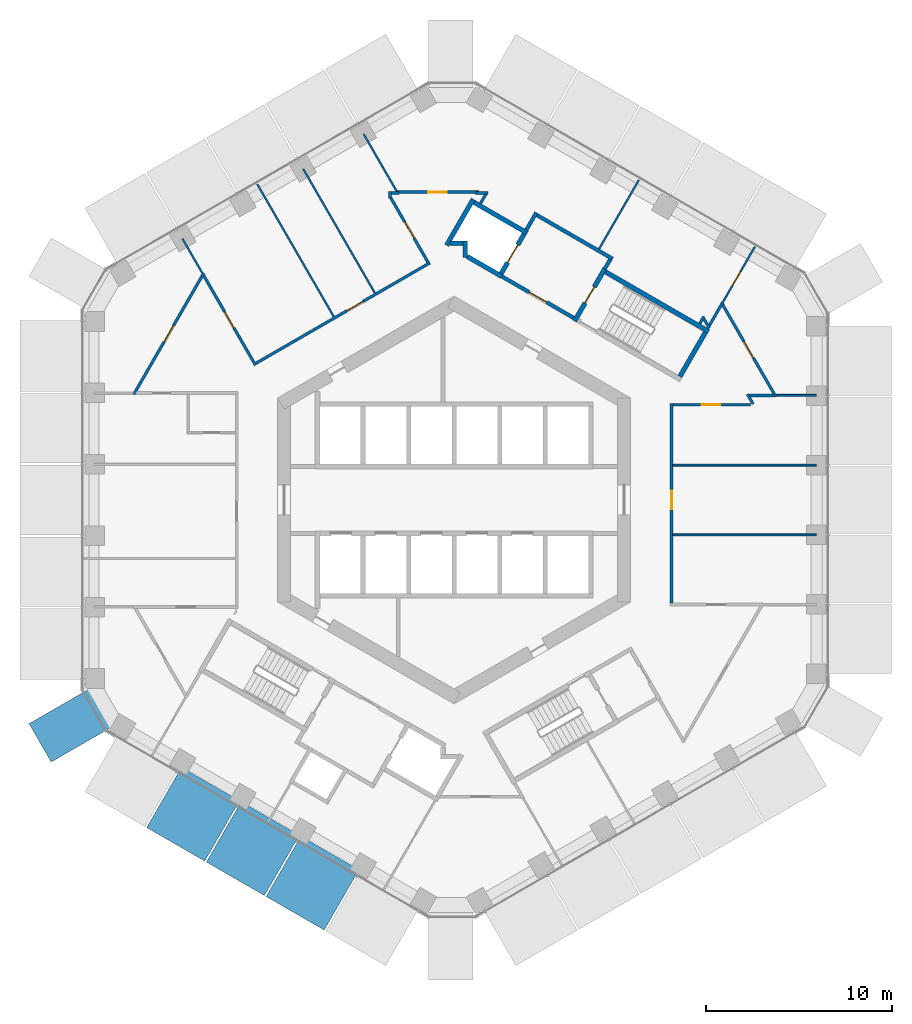
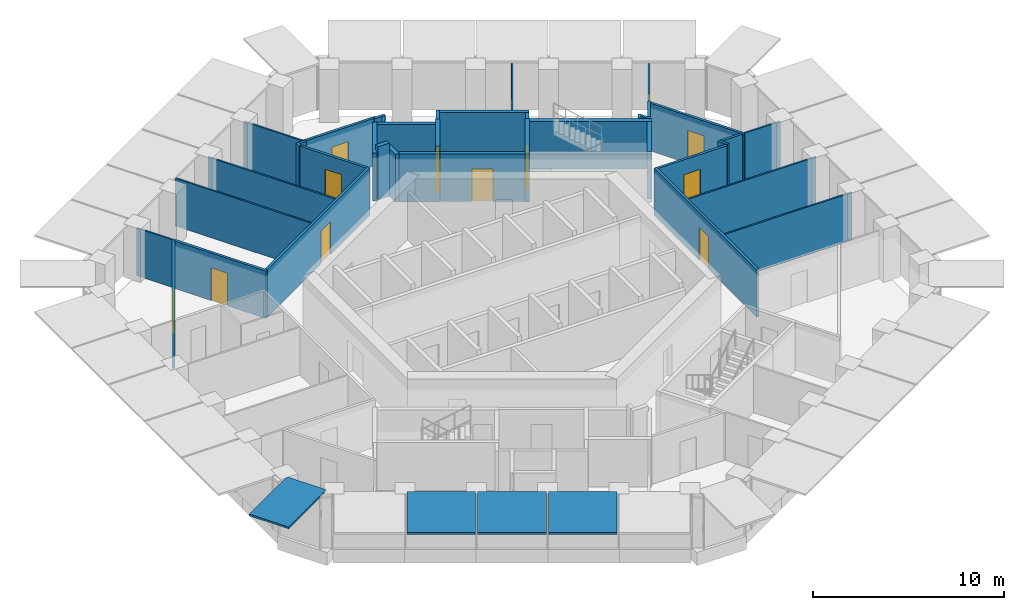
# One storey, part 14 of 18: 39 walls, 12 doors, 4 discrete accessories, 12 openings.
"""IFC4 building model written with IfcOpenShell, lengths in metres."""

from ifc_helpers import new_model, si_unit, direction, frame, frame_2d, origin, origin_2d, place, context, subcontext, project, spatial, rectangle, extrude, material, layer, layer_set, type_object, element, fill, save


model = new_model("IFC4")

# Units and contexts
model_context = context("Model", 3, precision=1e-05, world=origin(), true_north=direction((0.0, 1.0)))
body_context = subcontext(model_context, "Body", "Model", "MODEL_VIEW")
ifc_project = project(units=[si_unit("LENGTHUNIT", "METRE"), si_unit("AREAUNIT", "SQUARE_METRE"), si_unit("VOLUMEUNIT", "CUBIC_METRE"), si_unit("PLANEANGLEUNIT", "RADIAN"), si_unit("MASSUNIT", "GRAM", prefix="KILO")], contexts=[model_context])

# Site, building, storey
site_placement = place(None, origin())
site = spatial("IfcSite", under=ifc_project, at=site_placement, CompositionType="ELEMENT")
building_placement = place(site_placement, origin())
building = spatial("IfcBuilding", under=site, at=building_placement, Name="Ayvan Gate Tower", CompositionType="ELEMENT")
storey_placement = place(building_placement, frame((0.0, 0.0, 89.89990234375)))
storey = spatial("IfcBuildingStorey", under=building, at=storey_placement, Name="L23", CompositionType="ELEMENT", Elevation=89.89990234375)

# Wall, opening, door
ifc_material_1 = material(Name="Plasterboard on steel stud", Category="steel")
ifc_layer_1 = layer(ifc_material_1, 0.14990234375)
ifc_layer_set_1 = layer_set([ifc_layer_1], Name="Plasterboard on steel stud")
wall_type_1 = type_object("IfcWallType", Name="WT-CORR-150", PredefinedType="PARTITIONING", material=ifc_layer_set_1)
wall_1_placement = place(storey_placement, frame((-17.232666015625, 5.68701171875, 0.0), z_axis=(0.0, 0.0, 1.0), x_axis=(0.499994872161, 0.866028364324, 0.0)))
wall_1 = element("IfcWall", 1, at=wall_1_placement, inside=storey, type_object=wall_type_1, Name="IW-L23-003", PredefinedType="PARTITIONING", context=body_context, shape_type="SweptSolid", body=[
    extrude(rectangle(XDim=7.52490234375, YDim=0.14990234375, at=frame_2d((3.762451171875, 0.0))), origin(), (0.0, 0.0, 1.0), 3.050048828125),
])
opening_1_placement = place(wall_1_placement, frame((3.262451171875, 0.0, 0.0)))
opening_1 = element("IfcOpeningElement", 2, at=opening_1_placement, cuts=wall_1, Name="Opening L23-D23", PredefinedType="OPENING", context=body_context, shape_type="SweptSolid", body=[
    extrude(rectangle(XDim=1.0, YDim=2.10009765625, at=frame_2d((0.5, 1.050048828125))), frame((0.0, 0.0849609375, 0.0), z_axis=(0.0, -1.0, 0.0), x_axis=(1.0, 0.0, 0.0)), (0.0, 0.0, 1.0), 0.169921875),
])
ifc_material_2 = material(Name="Timber door leaf", Category="wood")
door_type_1 = type_object("IfcDoorType", Name="DT-1000", OperationType="NOTDEFINED", PredefinedType="DOOR", material=ifc_material_2)
door_1_placement = place(opening_1_placement, origin())
door_1 = element("IfcDoor", 3, at=door_1_placement, inside=storey, type_object=door_type_1, Name="ID-L23-023", OperationType="SINGLE_SWING_RIGHT", OverallHeight=2.10009765625, OverallWidth=1.0, PredefinedType="DOOR", context=body_context, shape_type="SweptSolid", body=[
    extrude(rectangle(XDim=1.0, YDim=2.10009765625, at=frame_2d((0.5, 1.050048828125))), frame((0.0, 0.02490234375, 0.0), z_axis=(0.0, -1.0, 0.0), x_axis=(1.0, 0.0, 0.0)), (0.0, 0.0, 1.0), 0.050048828125),
])
fill(opening_1, door_1)

wall_2_placement = place(storey_placement, frame((-13.47021484375, 12.073974609375, 0.0), z_axis=(0.0, 0.0, 1.0), x_axis=(0.500007201891, -0.866021245731, 0.0)))
wall_2 = element("IfcWall", 4, at=wall_2_placement, inside=storey, type_object=wall_type_1, Name="IW-L23-012", PredefinedType="PARTITIONING", context=body_context, shape_type="SweptSolid", body=[
    extrude(rectangle(XDim=5.56640625, YDim=0.14990234375, at=frame_2d((2.783203125, 0.0))), origin(), (0.0, 0.0, 1.0), 3.050048828125),
])
opening_2_placement = place(wall_2_placement, frame((2.24560546875, 0.0, 0.0)))
opening_2 = element("IfcOpeningElement", 5, at=opening_2_placement, cuts=wall_2, Name="Opening L23-D36", PredefinedType="OPENING", context=body_context, shape_type="SweptSolid", body=[
    extrude(rectangle(XDim=1.0, YDim=2.10009765625, at=frame_2d((0.5, 1.050048828125))), frame((0.0, 0.0849609375, 0.0), z_axis=(0.0, -1.0, 0.0), x_axis=(1.0, 0.0, 0.0)), (0.0, 0.0, 1.0), 0.169921875),
])
door_2_placement = place(opening_2_placement, origin())
door_2 = element("IfcDoor", 6, at=door_2_placement, inside=storey, type_object=door_type_1, Name="ID-L23-036", OperationType="SINGLE_SWING_LEFT", OverallHeight=2.10009765625, OverallWidth=1.0, PredefinedType="DOOR", context=body_context, shape_type="SweptSolid", body=[
    extrude(rectangle(XDim=1.0, YDim=2.10009765625, at=frame_2d((0.5, 1.050048828125))), frame((0.0, 0.02490234375, 0.0), z_axis=(0.0, -1.0, 0.0), x_axis=(1.0, 0.0, 0.0)), (0.0, 0.0, 1.0), 0.050048828125),
])
fill(opening_2, door_2)

wall_3_placement = place(storey_placement, frame((-10.659423828125, 7.355712890625, 0.0), z_axis=(0.0, 0.0, 1.0), x_axis=(0.866022689903, 0.500004700551, 0.0)))
wall_3 = element("IfcWall", 7, at=wall_3_placement, inside=storey, type_object=wall_type_1, Name="IW-L23-017", PredefinedType="PARTITIONING", context=body_context, shape_type="SweptSolid", body=[
    extrude(rectangle(XDim=10.80712890625, YDim=0.14990234375, at=frame_2d((5.403564453125, 0.0))), origin(), (0.0, 0.0, 1.0), 3.050048828125),
])
opening_3_placement = place(wall_3_placement, frame((5.65380859375, 0.0, 0.0)))
opening_3 = element("IfcOpeningElement", 8, at=opening_3_placement, cuts=wall_3, Name="Opening L23-D35", PredefinedType="OPENING", context=body_context, shape_type="SweptSolid", body=[
    extrude(rectangle(XDim=1.0, YDim=2.10009765625, at=frame_2d((0.5, 1.050048828125))), frame((0.0, 0.0849609375, 0.0), z_axis=(0.0, -1.0, 0.0), x_axis=(1.0, 0.0, 0.0)), (0.0, 0.0, 1.0), 0.169921875),
])
door_3_placement = place(opening_3_placement, origin())
door_3 = element("IfcDoor", 9, at=door_3_placement, inside=storey, type_object=door_type_1, Name="ID-L23-035", OperationType="SINGLE_SWING_RIGHT", OverallHeight=2.10009765625, OverallWidth=1.0, PredefinedType="DOOR", context=body_context, shape_type="SweptSolid", body=[
    extrude(rectangle(XDim=1.0, YDim=2.10009765625, at=frame_2d((0.5, 1.050048828125))), frame((0.0, 0.02490234375, 0.0), z_axis=(0.0, -1.0, 0.0), x_axis=(1.0, 0.0, 0.0)), (0.0, 0.0, 1.0), 0.050048828125),
])
fill(opening_3, door_3)

# Walls
wall_4_placement = place(storey_placement, frame((-3.449951171875, 16.257568359375, 0.0), z_axis=(0.0, 0.0, 1.0), x_axis=(0.0, 1.0, 0.0)))
element("IfcWall", 10, at=wall_4_placement, inside=storey, type_object=wall_type_1, Name="IW-L23-043", PredefinedType="PARTITIONING", context=body_context, shape_type="SweptSolid", body=[
    extrude(rectangle(XDim=0.328369140625, YDim=0.14990234375, at=frame_2d((0.1640625, 0.0))), origin(), (0.0, 0.0, 1.0), 3.050048828125),
])
wall_5_placement = place(storey_placement, frame((-3.375, 16.510986328125, 0.0), z_axis=(0.0, 0.0, 1.0), x_axis=(1.0, 0.0, 0.0)))
element("IfcWall", 11, at=wall_5_placement, inside=storey, type_object=wall_type_1, Name="IW-L23-044", PredefinedType="PARTITIONING", context=body_context, shape_type="SweptSolid", body=[
    extrude(rectangle(XDim=0.406494140625, YDim=0.14990234375, at=frame_2d((0.203125, 0.0))), origin(), (0.0, 0.0, 1.0), 3.050048828125),
])

# Wall, opening, door
wall_6_placement = place(storey_placement, frame((-3.140869140625, 16.5673828125, 0.0), z_axis=(0.0, 0.0, 1.0), x_axis=(1.0, 0.0, 0.0)))
wall_6 = element("IfcWall", 12, at=wall_6_placement, inside=storey, type_object=wall_type_1, Name="IW-L23-046", PredefinedType="PARTITIONING", context=body_context, shape_type="SweptSolid", body=[
    extrude(rectangle(XDim=4.46728515625, YDim=0.14990234375, at=frame_2d((2.233642578125, 0.0))), origin(), (0.0, 0.0, 1.0), 3.050048828125),
])
opening_4_placement = place(wall_6_placement, frame((1.7509765625, 0.0, 0.0)))
opening_4 = element("IfcOpeningElement", 13, at=opening_4_placement, cuts=wall_6, Name="Opening L23-D22", PredefinedType="OPENING", context=body_context, shape_type="SweptSolid", body=[
    extrude(rectangle(XDim=1.0, YDim=2.10009765625, at=frame_2d((0.5, 1.050048828125))), frame((0.0, 0.0849609375, 0.0), z_axis=(0.0, -1.0, 0.0), x_axis=(1.0, 0.0, 0.0)), (0.0, 0.0, 1.0), 0.169921875),
])
door_4_placement = place(opening_4_placement, origin())
door_4 = element("IfcDoor", 14, at=door_4_placement, inside=storey, type_object=door_type_1, Name="ID-L23-022", OperationType="SINGLE_SWING_LEFT", OverallHeight=2.10009765625, OverallWidth=1.0, PredefinedType="DOOR", context=body_context, shape_type="SweptSolid", body=[
    extrude(rectangle(XDim=1.0, YDim=2.10009765625, at=frame_2d((0.5, 1.050048828125))), frame((0.0, 0.02490234375, 0.0), z_axis=(0.0, -1.0, 0.0), x_axis=(1.0, 0.0, 0.0)), (0.0, 0.0, 1.0), 0.050048828125),
])
fill(opening_4, door_4)

wall_7_placement = place(storey_placement, frame((-1.40283203125, 12.78662109375, 0.0), z_axis=(0.0, 0.0, 1.0), x_axis=(-0.500006371327, 0.866021725266, 0.0)))
wall_7 = element("IfcWall", 15, at=wall_7_placement, inside=storey, type_object=wall_type_1, Name="IW-L23-053", PredefinedType="PARTITIONING", context=body_context, shape_type="SweptSolid", body=[
    extrude(rectangle(XDim=4.01953125, YDim=0.14990234375, at=frame_2d((2.009765625, 0.0))), origin(), (0.0, 0.0, 1.0), 3.050048828125),
])
opening_5_placement = place(wall_7_placement, frame((1.509765625, 0.0, 0.0)))
opening_5 = element("IfcOpeningElement", 16, at=opening_5_placement, cuts=wall_7, Name="Opening L23-D34", PredefinedType="OPENING", context=body_context, shape_type="SweptSolid", body=[
    extrude(rectangle(XDim=1.0, YDim=2.10009765625, at=frame_2d((0.5, 1.050048828125))), frame((0.0, 0.0849609375, 0.0), z_axis=(0.0, -1.0, 0.0), x_axis=(1.0, 0.0, 0.0)), (0.0, 0.0, 1.0), 0.169921875),
])
door_5_placement = place(opening_5_placement, origin())
door_5 = element("IfcDoor", 17, at=door_5_placement, inside=storey, type_object=door_type_1, Name="ID-L23-034", OperationType="SINGLE_SWING_LEFT", OverallHeight=2.10009765625, OverallWidth=1.0, PredefinedType="DOOR", context=body_context, shape_type="SweptSolid", body=[
    extrude(rectangle(XDim=1.0, YDim=2.10009765625, at=frame_2d((0.5, 1.050048828125))), frame((0.0, 0.02490234375, 0.0), z_axis=(0.0, -1.0, 0.0), x_axis=(1.0, 0.0, 0.0)), (0.0, 0.0, 1.0), 0.050048828125),
])
fill(opening_5, door_5)

# Walls
wall_8_placement = place(storey_placement, frame((1.15380859375, 16.510986328125, 0.0), z_axis=(0.0, 0.0, 1.0), x_axis=(1.0, 0.0, 0.0)))
element("IfcWall", 18, at=wall_8_placement, inside=storey, type_object=wall_type_1, Name="IW-L23-065", PredefinedType="PARTITIONING", context=body_context, shape_type="SweptSolid", body=[
    extrude(rectangle(XDim=0.65966796875, YDim=0.14990234375, at=frame_2d((0.329833984375, 0.0))), origin(), (0.0, 0.0, 1.0), 3.050048828125),
])
wall_9_placement = place(storey_placement, frame((1.700927734375, 16.446044921875, 0.0), z_axis=(0.0, 0.0, 1.0), x_axis=(-0.500206000974, -0.865906436394, 0.0)))
element("IfcWall", 19, at=wall_9_placement, inside=storey, type_object=wall_type_1, Name="IW-L23-068", PredefinedType="PARTITIONING", context=body_context, shape_type="SweptSolid", body=[
    extrude(rectangle(XDim=0.568115234375, YDim=0.14990234375, at=frame_2d((0.2841796875, 0.0))), origin(), (0.0, 0.0, 1.0), 3.050048828125),
])

# Wall, opening, door
wall_10_placement = place(storey_placement, frame((11.699951171875, -5.553466796875, 0.0), z_axis=(0.0, 0.0, 1.0), x_axis=(0.0, 1.0, 0.0)))
wall_10 = element("IfcWall", 20, at=wall_10_placement, inside=storey, type_object=wall_type_1, Name="IW-L23-097", PredefinedType="PARTITIONING", context=body_context, shape_type="SweptSolid", body=[
    extrude(rectangle(XDim=10.757080078125, YDim=0.14990234375, at=frame_2d((5.37841796875, 0.0))), origin(), (0.0, 0.0, 1.0), 3.050048828125),
])
opening_6_placement = place(wall_10_placement, frame((5.053466796875, 0.0, 0.0)))
opening_6 = element("IfcOpeningElement", 21, at=opening_6_placement, cuts=wall_10, Name="Opening L23-D18", PredefinedType="OPENING", context=body_context, shape_type="SweptSolid", body=[
    extrude(rectangle(XDim=1.0, YDim=2.10009765625, at=frame_2d((0.5, 1.050048828125))), frame((0.0, 0.0849609375, 0.0), z_axis=(0.0, -1.0, 0.0), x_axis=(1.0, 0.0, 0.0)), (0.0, 0.0, 1.0), 0.169921875),
])
door_6_placement = place(opening_6_placement, origin())
door_6 = element("IfcDoor", 22, at=door_6_placement, inside=storey, type_object=door_type_1, Name="ID-L23-018", OperationType="SINGLE_SWING_LEFT", OverallHeight=2.10009765625, OverallWidth=1.0, PredefinedType="DOOR", context=body_context, shape_type="SweptSolid", body=[
    extrude(rectangle(XDim=1.0, YDim=2.10009765625, at=frame_2d((0.5, 1.050048828125))), frame((0.0, 0.02490234375, 0.0), z_axis=(0.0, -1.0, 0.0), x_axis=(1.0, 0.0, 0.0)), (0.0, 0.0, 1.0), 0.050048828125),
])
fill(opening_6, door_6)

# Walls
wall_11_placement = place(storey_placement, frame((13.21484375, 9.48876953125, 0.0), z_axis=(0.0, 0.0, 1.0), x_axis=(0.500132045864, 0.865949153646, 0.0)))
element("IfcWall", 23, at=wall_11_placement, inside=storey, type_object=wall_type_1, Name="IW-L23-102", PredefinedType="PARTITIONING", context=body_context, shape_type="SweptSolid", body=[
    extrude(rectangle(XDim=0.447265625, YDim=0.14990234375, at=frame_2d((0.2236328125, 0.0))), origin(), (0.0, 0.0, 1.0), 3.050048828125),
])
wall_12_placement = place(storey_placement, frame((13.4384765625, 9.74609375, 0.0), z_axis=(0.0, 0.0, 1.0), x_axis=(0.499868889286, -0.866101087359, 0.0)))
element("IfcWall", 24, at=wall_12_placement, inside=storey, type_object=wall_type_1, Name="IW-L23-103", PredefinedType="PARTITIONING", context=body_context, shape_type="SweptSolid", body=[
    extrude(rectangle(XDim=0.577392578125, YDim=0.14990234375, at=frame_2d((0.28857421875, 0.0))), origin(), (0.0, 0.0, 1.0), 3.050048828125),
])
wall_13_placement = place(storey_placement, frame((13.72705078125, 9.3759765625, 0.0), z_axis=(0.0, 0.0, 1.0), x_axis=(0.499994385119, 0.866028645513, 0.0)))
element("IfcWall", 25, at=wall_13_placement, inside=storey, type_object=wall_type_1, Name="IW-L23-105", PredefinedType="PARTITIONING", context=body_context, shape_type="SweptSolid", body=[
    extrude(rectangle(XDim=1.45068359375, YDim=0.14990234375, at=frame_2d((0.725341796875, 0.0))), origin(), (0.0, 0.0, 1.0), 3.050048828125),
])

# Wall, opening, door
wall_14_placement = place(storey_placement, frame((14.452392578125, 10.50244140625, 0.0), z_axis=(0.0, 0.0, 1.0), x_axis=(0.500025088952, -0.866010918186, 0.0)))
wall_14 = element("IfcWall", 26, at=wall_14_placement, inside=storey, type_object=wall_type_1, Name="IW-L23-107", PredefinedType="PARTITIONING", context=body_context, shape_type="SweptSolid", body=[
    extrude(rectangle(XDim=5.702880859375, YDim=0.14990234375, at=frame_2d((2.8515625, 0.0))), origin(), (0.0, 0.0, 1.0), 3.050048828125),
])
opening_7_placement = place(wall_14_placement, frame((2.296630859375, 0.0, 0.0)))
opening_7 = element("IfcOpeningElement", 27, at=opening_7_placement, cuts=wall_14, Name="Opening L23-D20", PredefinedType="OPENING", context=body_context, shape_type="SweptSolid", body=[
    extrude(rectangle(XDim=1.0, YDim=2.10009765625, at=frame_2d((0.5, 1.050048828125))), frame((0.0, 0.0849609375, 0.0), z_axis=(0.0, -1.0, 0.0), x_axis=(1.0, 0.0, 0.0)), (0.0, 0.0, 1.0), 0.169921875),
])
door_7_placement = place(opening_7_placement, origin())
door_7 = element("IfcDoor", 28, at=door_7_placement, inside=storey, type_object=door_type_1, Name="ID-L23-020", OperationType="SINGLE_SWING_LEFT", OverallHeight=2.10009765625, OverallWidth=1.0, PredefinedType="DOOR", context=body_context, shape_type="SweptSolid", body=[
    extrude(rectangle(XDim=1.0, YDim=2.10009765625, at=frame_2d((0.5, 1.050048828125))), frame((0.0, 0.02490234375, 0.0), z_axis=(0.0, -1.0, 0.0), x_axis=(1.0, 0.0, 0.0)), (0.0, 0.0, 1.0), 0.050048828125),
])
fill(opening_7, door_7)

# Wall
wall_15_placement = place(storey_placement, frame((15.778076171875, 5.693603515625, 0.0), z_axis=(0.0, 0.0, 1.0), x_axis=(0.499928040405, -0.86606694569, 0.0)))
element("IfcWall", 29, at=wall_15_placement, inside=storey, type_object=wall_type_1, Name="IW-L23-108", PredefinedType="PARTITIONING", context=body_context, shape_type="SweptSolid", body=[
    extrude(rectangle(XDim=0.61669921875, YDim=0.14990234375, at=frame_2d((0.308349609375, 0.0))), origin(), (0.0, 0.0, 1.0), 3.050048828125),
])

# Wall, opening, door
wall_16_placement = place(storey_placement, frame((15.9580078125, 5.12841796875, 0.0), z_axis=(0.0, 0.0, 1.0), x_axis=(-1.0, 0.0, 0.0)))
wall_16 = element("IfcWall", 30, at=wall_16_placement, inside=storey, type_object=wall_type_1, Name="IW-L23-109", PredefinedType="PARTITIONING", context=body_context, shape_type="SweptSolid", body=[
    extrude(rectangle(XDim=4.18310546875, YDim=0.14990234375, at=frame_2d((2.091552734375, 0.0))), origin(), (0.0, 0.0, 1.0), 3.050048828125),
])
opening_8_placement = place(wall_16_placement, frame((1.62890625, 0.0, 0.0)))
opening_8 = element("IfcOpeningElement", 31, at=opening_8_placement, cuts=wall_16, Name="Opening L23-D19", PredefinedType="OPENING", context=body_context, shape_type="SweptSolid", body=[
    extrude(rectangle(XDim=1.0, YDim=2.10009765625, at=frame_2d((0.5, 1.050048828125))), frame((0.0, 0.0849609375, 0.0), z_axis=(0.0, -1.0, 0.0), x_axis=(1.0, 0.0, 0.0)), (0.0, 0.0, 1.0), 0.169921875),
])
door_8_placement = place(opening_8_placement, origin())
door_8 = element("IfcDoor", 32, at=door_8_placement, inside=storey, type_object=door_type_1, Name="ID-L23-019", OperationType="SINGLE_SWING_RIGHT", OverallHeight=2.10009765625, OverallWidth=1.0, PredefinedType="DOOR", context=body_context, shape_type="SweptSolid", body=[
    extrude(rectangle(XDim=1.0, YDim=2.10009765625, at=frame_2d((0.5, 1.050048828125))), frame((0.0, 0.02490234375, 0.0), z_axis=(0.0, -1.0, 0.0), x_axis=(1.0, 0.0, 0.0)), (0.0, 0.0, 1.0), 0.050048828125),
])
fill(opening_8, door_8)

# Walls
wall_17_placement = place(storey_placement, frame((17.19140625, 5.62841796875, 0.0), z_axis=(0.0, 0.0, 1.0), x_axis=(-1.0, 0.0, 0.0)))
element("IfcWall", 33, at=wall_17_placement, inside=storey, type_object=wall_type_1, Name="IW-L23-112", PredefinedType="PARTITIONING", context=body_context, shape_type="SweptSolid", body=[
    extrude(rectangle(XDim=1.30078125, YDim=0.14990234375, at=frame_2d((0.650390625, 0.0))), origin(), (0.0, 0.0, 1.0), 3.050048828125),
])
ifc_layer_2 = layer(ifc_material_1, 0.10009765625)
ifc_layer_set_2 = layer_set([ifc_layer_2], Name="Plasterboard on steel stud")
wall_type_2 = type_object("IfcWallType", Name="WT-PART-100", PredefinedType="PARTITIONING", material=ifc_layer_set_2)
wall_18_placement = place(storey_placement, frame((-14.6171875, 14.060791015625, 0.0), z_axis=(0.0, 0.0, 1.0), x_axis=(0.499972147661, -0.866041483742, 0.0)))
element("IfcWall", 34, at=wall_18_placement, inside=storey, type_object=wall_type_2, Name="IW-L23-004", PredefinedType="PARTITIONING", context=body_context, shape_type="SweptSolid", body=[
    extrude(rectangle(XDim=2.14404296875, YDim=0.10009765625, at=frame_2d((1.072021484375, 0.0))), origin(), (0.0, 0.0, 1.0), 3.050048828125),
])
wall_19_placement = place(storey_placement, frame((-6.472412109375, 9.859619140625, 0.0), z_axis=(0.0, 0.0, 1.0), x_axis=(-0.499986033803, 0.866033467022, 0.0)))
element("IfcWall", 35, at=wall_19_placement, inside=storey, type_object=wall_type_2, Name="IW-L23-032", PredefinedType="PARTITIONING", context=body_context, shape_type="SweptSolid", body=[
    extrude(rectangle(XDim=8.231689453125, YDim=0.10009765625, at=frame_2d((4.11572265625, 0.0))), origin(), (0.0, 0.0, 1.0), 3.050048828125),
])
wall_20_placement = place(storey_placement, frame((-4.2626953125, 11.135498046875, 0.0), z_axis=(0.0, 0.0, 1.0), x_axis=(-0.499997453958, 0.866026873738, 0.0)))
element("IfcWall", 36, at=wall_20_placement, inside=storey, type_object=wall_type_2, Name="IW-L23-040", PredefinedType="PARTITIONING", context=body_context, shape_type="SweptSolid", body=[
    extrude(rectangle(XDim=7.71044921875, YDim=0.10009765625, at=frame_2d((3.855224609375, 0.0))), origin(), (0.0, 0.0, 1.0), 3.050048828125),
])
wall_21_placement = place(storey_placement, frame((-3.103515625, 16.63232421875, 0.0), z_axis=(0.0, 0.0, 1.0), x_axis=(-0.499999858875, 0.866025485263, 0.0)))
element("IfcWall", 37, at=wall_21_placement, inside=storey, type_object=wall_type_2, Name="IW-L23-045", PredefinedType="PARTITIONING", context=body_context, shape_type="SweptSolid", body=[
    extrude(rectangle(XDim=3.52978515625, YDim=0.10009765625, at=frame_2d((1.764892578125, 0.0))), origin(), (0.0, 0.0, 1.0), 3.050048828125),
])
wall_22_placement = place(storey_placement, frame((7.800048828125, 13.510009765625, 0.0), z_axis=(0.0, 0.0, 1.0), x_axis=(0.499978750566, 0.866037671803, 0.0)))
element("IfcWall", 38, at=wall_22_placement, inside=storey, type_object=wall_type_2, Name="IW-L23-090", PredefinedType="PARTITIONING", context=body_context, shape_type="SweptSolid", body=[
    extrude(rectangle(XDim=4.287841796875, YDim=0.10009765625, at=frame_2d((2.14404296875, 0.0))), origin(), (0.0, 0.0, 1.0), 3.050048828125),
])
for number, where, z_axis, x_axis, name in (
    (39, (11.77490234375, -1.876220703125, 0.0), (0.0, 0.0, 1.0), (1.0, 0.0, 0.0), "IW-L23-098"),
    (40, (11.77490234375, 1.876220703125, 0.0), (0.0, 0.0, 1.0), (1.0, 0.0, 0.0), "IW-L23-099"),
):
    element("IfcWall", number, at=place(storey_placement, frame(where, z_axis=z_axis, x_axis=x_axis)), inside=storey, type_object=wall_type_2, Name=name, PredefinedType="PARTITIONING", context=body_context, shape_type="SweptSolid", body=[
        extrude(rectangle(XDim=7.710693359375, YDim=0.10009765625, at=frame_2d((3.85546875, 0.0))), origin(), (0.0, 0.0, 1.0), 3.050048828125),
    ])

# Wall, opening, door
wall_23_placement = place(storey_placement, frame((14.452392578125, 10.63232421875, 0.0), z_axis=(0.0, 0.0, 1.0), x_axis=(0.499993736042, 0.866029020252, 0.0)))
wall_23 = element("IfcWall", 41, at=wall_23_placement, inside=storey, type_object=wall_type_2, Name="IW-L23-106", PredefinedType="PARTITIONING", context=body_context, shape_type="SweptSolid", body=[
    extrude(rectangle(XDim=3.45361328125, YDim=0.10009765625, at=frame_2d((1.726806640625, 0.0))), origin(), (0.0, 0.0, 1.0), 3.050048828125),
])
opening_9_placement = place(wall_23_placement, frame((1.016357421875, 0.0, 0.0)))
opening_9 = element("IfcOpeningElement", 42, at=opening_9_placement, cuts=wall_23, Name="Opening L23-D21", PredefinedType="OPENING", context=body_context, shape_type="SweptSolid", body=[
    extrude(rectangle(XDim=0.89990234375, YDim=2.10009765625, at=frame_2d((0.449951171875, 1.050048828125))), frame((0.0, 0.06005859375, 0.0), z_axis=(0.0, -1.0, 0.0), x_axis=(1.0, 0.0, 0.0)), (0.0, 0.0, 1.0), 0.1201171875),
])
door_type_2 = type_object("IfcDoorType", Name="DT-900", OperationType="NOTDEFINED", PredefinedType="DOOR", material=ifc_material_2)
door_9_placement = place(opening_9_placement, origin())
door_9 = element("IfcDoor", 43, at=door_9_placement, inside=storey, type_object=door_type_2, Name="ID-L23-021", OperationType="SINGLE_SWING_RIGHT", OverallHeight=2.10009765625, OverallWidth=0.89990234375, PredefinedType="DOOR", context=body_context, shape_type="SweptSolid", body=[
    extrude(rectangle(XDim=0.89990234375, YDim=2.10009765625, at=frame_2d((0.449951171875, 1.050048828125))), frame((0.0, 0.02490234375, 0.0), z_axis=(0.0, -1.0, 0.0), x_axis=(1.0, 0.0, 0.0)), (0.0, 0.0, 1.0), 0.050048828125),
])
fill(opening_9, door_9)

# Walls
wall_24_placement = place(storey_placement, frame((17.34130859375, 5.62841796875, 0.0), z_axis=(0.0, 0.0, 1.0), x_axis=(1.0, 0.0, 0.0)))
element("IfcWall", 44, at=wall_24_placement, inside=storey, type_object=wall_type_2, Name="IW-L23-113", PredefinedType="PARTITIONING", context=body_context, shape_type="SweptSolid", body=[
    extrude(rectangle(XDim=2.144287109375, YDim=0.10009765625, at=frame_2d((1.072265625, 0.0))), origin(), (0.0, 0.0, 1.0), 3.050048828125),
])
ifc_layer_3 = layer(ifc_material_1, 0.199951171875)
ifc_layer_set_3 = layer_set([ifc_layer_3], Name="Plasterboard on steel stud")
wall_type_3 = type_object("IfcWallType", Name="WT-RATED-200", PredefinedType="PARTITIONING", material=ifc_layer_set_3)
wall_25_placement = place(storey_placement, frame((3.885009765625, 14.52880859375, 0.0), z_axis=(0.0, 0.0, 1.0), x_axis=(0.499997628298, 0.866026773083, 0.0)))
element("IfcWall", 45, at=wall_25_placement, inside=storey, type_object=wall_type_3, Name="IW-L23-077", PredefinedType="PARTITIONING", context=body_context, shape_type="SweptSolid", body=[
    extrude(rectangle(XDim=1.0751953125, YDim=0.199951171875, at=frame_2d((0.53759765625, 0.0))), origin(), (0.0, 0.0, 1.0), 3.050048828125),
])
wall_26_placement = place(storey_placement, frame((4.458984375, 15.323486328125, 0.0), z_axis=(0.0, 0.0, 1.0), x_axis=(0.866016039709, -0.500016218704, 0.0)))
element("IfcWall", 46, at=wall_26_placement, inside=storey, type_object=wall_type_3, Name="IW-L23-078", PredefinedType="PARTITIONING", context=body_context, shape_type="SweptSolid", body=[
    extrude(rectangle(XDim=4.699951171875, YDim=0.199951171875, at=frame_2d((2.35009765625, 0.0))), origin(), (0.0, 0.0, 1.0), 3.050048828125),
])

# Wall, opening, door
wall_27_placement = place(storey_placement, frame((6.4345703125, 9.794921875, 0.0), z_axis=(0.0, 0.0, 1.0), x_axis=(-0.866012907634, 0.500021643343, 0.0)))
wall_27 = element("IfcWall", 47, at=wall_27_placement, inside=storey, type_object=wall_type_3, Name="IW-L23-081", PredefinedType="PARTITIONING", context=body_context, shape_type="SweptSolid", body=[
    extrude(rectangle(XDim=4.449951171875, YDim=0.199951171875, at=frame_2d((2.22509765625, 0.0))), origin(), (0.0, 0.0, 1.0), 3.050048828125),
])
opening_10_placement = place(wall_27_placement, frame((1.675048828125, 0.0, 0.0)))
opening_10 = element("IfcOpeningElement", 48, at=opening_10_placement, cuts=wall_27, Name="Opening L23-D08", PredefinedType="OPENING", context=body_context, shape_type="SweptSolid", body=[
    extrude(rectangle(XDim=1.10009765625, YDim=2.10009765625, at=frame_2d((0.550048828125, 1.050048828125))), frame((0.0, 0.10986328125, 0.0), z_axis=(0.0, -1.0, 0.0), x_axis=(1.0, 0.0, 0.0)), (0.0, 0.0, 1.0), 0.219970703125),
])
door_type_3 = type_object("IfcDoorType", Name="DT-1100", OperationType="NOTDEFINED", PredefinedType="DOOR", material=ifc_material_2)
door_10_placement = place(opening_10_placement, origin())
door_10 = element("IfcDoor", 49, at=door_10_placement, inside=storey, type_object=door_type_3, Name="ID-L23-008", OperationType="SINGLE_SWING_LEFT", OverallHeight=2.10009765625, OverallWidth=1.10009765625, PredefinedType="DOOR", context=body_context, shape_type="SweptSolid", body=[
    extrude(rectangle(XDim=1.10009765625, YDim=2.10009765625, at=frame_2d((0.550048828125, 1.050048828125))), frame((0.0, 0.02490234375, 0.0), z_axis=(0.0, -1.0, 0.0), x_axis=(1.0, 0.0, 0.0)), (0.0, 0.0, 1.0), 0.050048828125),
])
fill(opening_10, door_10)

# Walls
wall_28_placement = place(storey_placement, frame((8.392822265625, 12.936767578125, 0.0), z_axis=(0.0, 0.0, 1.0), x_axis=(-0.500065409566, -0.86598763626, 0.0)))
element("IfcWall", 50, at=wall_28_placement, inside=storey, type_object=wall_type_3, Name="IW-L23-092", PredefinedType="PARTITIONING", context=body_context, shape_type="SweptSolid", body=[
    extrude(rectangle(XDim=0.5751953125, YDim=0.199951171875, at=frame_2d((0.28759765625, 0.0))), origin(), (0.0, 0.0, 1.0), 3.050048828125),
])
ifc_material_3 = material(Name="Concrete C50/60", Category="concrete")
ifc_layer_4 = layer(ifc_material_3, 0.25)
ifc_layer_set_4 = layer_set([ifc_layer_4], Name="Concrete C50/60")
wall_type_4 = type_object("IfcWallType", Name="WT-RC-250", PredefinedType="SHEAR", material=ifc_layer_set_4)
wall_29_placement = place(storey_placement, frame((-0.403076171875, 13.70166015625, 0.0), z_axis=(0.0, 0.0, 1.0), x_axis=(0.499976111731, 0.866039195244, 0.0)))
element("IfcWall", 51, at=wall_29_placement, inside=storey, type_object=wall_type_4, Name="IW-L23-059", PredefinedType="SHEAR", context=body_context, shape_type="SweptSolid", body=[
    extrude(rectangle(XDim=2.860595703125, YDim=0.25, at=frame_2d((1.43017578125, 0.0))), origin(), (0.0, 0.0, 1.0), 3.050048828125),
])
wall_30_placement = place(storey_placement, frame((0.60009765625, 13.03857421875, 0.0), z_axis=(0.0, 0.0, 1.0), x_axis=(0.0, 1.0, 0.0)))
element("IfcWall", 52, at=wall_30_placement, inside=storey, type_object=wall_type_4, Name="IW-L23-062", PredefinedType="SHEAR", context=body_context, shape_type="SweptSolid", body=[
    extrude(rectangle(XDim=0.896484375, YDim=0.25, at=frame_2d((0.4482421875, 0.0))), origin(), (0.0, 0.0, 1.0), 3.050048828125),
])
wall_31_placement = place(storey_placement, frame((0.47509765625, 13.81005859375, 0.0), z_axis=(0.0, 0.0, 1.0), x_axis=(-1.0, 0.0, 0.0)))
element("IfcWall", 53, at=wall_31_placement, inside=storey, type_object=wall_type_4, Name="IW-L23-063", PredefinedType="SHEAR", context=body_context, shape_type="SweptSolid", body=[
    extrude(rectangle(XDim=0.690673828125, YDim=0.25, at=frame_2d((0.34521484375, 0.0))), origin(), (0.0, 0.0, 1.0), 3.400146484375),
])
wall_32_placement = place(storey_placement, frame((1.072998046875, 16.00830078125, 0.0), z_axis=(0.0, 0.0, 1.0), x_axis=(0.866040211805, -0.499974350878, 0.0)))
element("IfcWall", 54, at=wall_32_placement, inside=storey, type_object=wall_type_4, Name="IW-L23-064", PredefinedType="SHEAR", context=body_context, shape_type="SweptSolid", body=[
    extrude(rectangle(XDim=3.300048828125, YDim=0.25, at=frame_2d((1.64990234375, 0.0))), origin(), (0.0, 0.0, 1.0), 3.050048828125),
])
wall_33_placement = place(storey_placement, frame((2.580810546875, 12.02001953125, 0.0), z_axis=(0.0, 0.0, 1.0), x_axis=(-0.86603892542, 0.499976579108, 0.0)))
element("IfcWall", 55, at=wall_33_placement, inside=storey, type_object=wall_type_4, Name="IW-L23-071", PredefinedType="SHEAR", context=body_context, shape_type="SweptSolid", body=[
    extrude(rectangle(XDim=2.162109375, YDim=0.25, at=frame_2d((1.0810546875, 0.0))), origin(), (0.0, 0.0, 1.0), 3.050048828125),
])

# Wall, opening, door
wall_34_placement = place(storey_placement, frame((2.534912109375, 12.19091796875, 0.0), z_axis=(0.0, 0.0, 1.0), x_axis=(0.500061746146, 0.865989751695, 0.0)))
wall_34 = element("IfcWall", 56, at=wall_34_placement, inside=storey, type_object=wall_type_4, Name="IW-L23-072", PredefinedType="SHEAR", context=body_context, shape_type="SweptSolid", body=[
    extrude(rectangle(XDim=2.449951171875, YDim=0.25, at=frame_2d((1.22509765625, 0.0))), origin(), (0.0, 0.0, 1.0), 3.400146484375),
])
opening_11_placement = place(wall_34_placement, frame((0.675048828125, 0.0, 0.0)))
opening_11 = element("IfcOpeningElement", 57, at=opening_11_placement, cuts=wall_34, Name="Opening L23-LD-FF1", PredefinedType="OPENING", context=body_context, shape_type="SweptSolid", body=[
    extrude(rectangle(XDim=1.10009765625, YDim=2.10009765625, at=frame_2d((0.550048828125, 1.050048828125))), frame((0.0, 0.135009765625, 0.0), z_axis=(0.0, -1.0, 0.0), x_axis=(1.0, 0.0, 0.0)), (0.0, 0.0, 1.0), 0.27001953125),
])
ifc_material_4 = material(Name="Stainless steel landing door", Category="steel")
door_type_4 = type_object("IfcDoorType", Name="DT-LANDING-1100", OperationType="SLIDING_TO_LEFT", PredefinedType="DOOR", material=ifc_material_4)
door_11_placement = place(opening_11_placement, origin())
door_11 = element("IfcDoor", 58, at=door_11_placement, inside=storey, type_object=door_type_4, Name="ID-L23-009", OperationType="SLIDING_TO_LEFT", OverallHeight=2.10009765625, OverallWidth=1.10009765625, PredefinedType="DOOR", context=body_context, shape_type="SweptSolid", body=[
    extrude(rectangle(XDim=1.10009765625, YDim=2.10009765625, at=frame_2d((0.550048828125, 1.050048828125))), frame((0.0, 0.02490234375, 0.0), z_axis=(0.0, -1.0, 0.0), x_axis=(1.0, 0.0, 0.0)), (0.0, 0.0, 1.0), 0.050048828125),
])
fill(opening_11, door_11)

wall_35_placement = place(storey_placement, frame((6.480224609375, 9.624267578125, 0.0), z_axis=(0.0, 0.0, 1.0), x_axis=(0.500017246033, 0.866015446554, 0.0)))
wall_35 = element("IfcWall", 59, at=wall_35_placement, inside=storey, type_object=wall_type_4, Name="IW-L23-082", PredefinedType="SHEAR", context=body_context, shape_type="SweptSolid", body=[
    extrude(rectangle(XDim=3.25, YDim=0.25, at=frame_2d((1.625, 0.0))), origin(), (0.0, 0.0, 1.0), 3.050048828125),
])
opening_12_placement = place(wall_35_placement, frame((1.125, 0.0, 0.0)))
opening_12 = element("IfcOpeningElement", 60, at=opening_12_placement, cuts=wall_35, Name="Opening L23-D07", PredefinedType="OPENING", context=body_context, shape_type="SweptSolid", body=[
    extrude(rectangle(XDim=1.0, YDim=2.10009765625, at=frame_2d((0.5, 1.050048828125))), frame((0.0, 0.135009765625, 0.0), z_axis=(0.0, -1.0, 0.0), x_axis=(1.0, 0.0, 0.0)), (0.0, 0.0, 1.0), 0.27001953125),
])
door_12_placement = place(opening_12_placement, origin())
door_12 = element("IfcDoor", 61, at=door_12_placement, inside=storey, type_object=door_type_1, Name="ID-L23-007", OperationType="SINGLE_SWING_RIGHT", OverallHeight=2.10009765625, OverallWidth=1.0, PredefinedType="DOOR", context=body_context, shape_type="SweptSolid", body=[
    extrude(rectangle(XDim=1.0, YDim=2.10009765625, at=frame_2d((0.5, 1.050048828125))), frame((0.0, 0.02490234375, 0.0), z_axis=(0.0, -1.0, 0.0), x_axis=(1.0, 0.0, 0.0)), (0.0, 0.0, 1.0), 0.050048828125),
])
fill(opening_12, door_12)

# Walls
wall_36_placement = place(storey_placement, frame((8.151123046875, 12.26806640625, 0.0), z_axis=(0.0, 0.0, 1.0), x_axis=(0.866025499775, -0.499999833739, 0.0)))
element("IfcWall", 62, at=wall_36_placement, inside=storey, type_object=wall_type_4, Name="IW-L23-091", PredefinedType="SHEAR", context=body_context, shape_type="SweptSolid", body=[
    extrude(rectangle(XDim=6.39990234375, YDim=0.25, at=frame_2d((3.199951171875, 0.0))), origin(), (0.0, 0.0, 1.0), 3.050048828125),
])
wall_37_placement = place(storey_placement, frame((13.52294921875, 9.022216796875, 0.0), z_axis=(0.0, 0.0, 1.0), x_axis=(-0.500034990121, -0.866005201286, 0.0)))
element("IfcWall", 63, at=wall_37_placement, inside=storey, type_object=wall_type_4, Name="IW-L23-104", PredefinedType="SHEAR", context=body_context, shape_type="SweptSolid", body=[
    extrude(rectangle(XDim=2.749755859375, YDim=0.25, at=frame_2d((1.375, 0.0))), origin(), (0.0, 0.0, 1.0), 3.050048828125),
])

# Discrete accessories
ifc_material_5 = material(Name="Stainless steel 316", Category="steel")
ifc_layer_5 = layer(ifc_material_5, 0.1201171875)
ifc_layer_set_5 = layer_set([ifc_layer_5], Name="Stainless steel 316")
discrete_accessory_type = type_object("IfcDiscreteAccessoryType", Name="Fin carrier bracket", PredefinedType="BRACKET", material=ifc_layer_set_5)
discrete_accessory_1_placement = place(storey_placement, frame((-20.564208984375, -12.078369140625, 3.280029296875), z_axis=(0.0, 0.0, 1.0), x_axis=(0.5, -0.866025403784, 0.0)))
element("IfcDiscreteAccessory", 64, at=discrete_accessory_1_placement, inside=storey, type_object=discrete_accessory_type, Name="Fin carrier 59", PredefinedType="BRACKET", context=body_context, shape_type="SweptSolid", body=[
    extrude(rectangle(XDim=2.386474609375, YDim=3.9521484375, at=origin_2d()), origin(), (0.0, 0.0, 1.0), 0.1201171875),
])
for number, where, z_axis, x_axis, name in (
    (65, (-14.0439453125, -16.90234375, 3.280029296875), (0.0, 0.0, 1.0), (0.866025403784, -0.5, 0.0), "Fin carrier 266"),
    (66, (-10.830078125, -18.7578125, 3.280029296875), (0.0, 0.0, 1.0), (0.866025403784, -0.5, 0.0), "Fin carrier 328"),
):
    element("IfcDiscreteAccessory", number, at=place(storey_placement, frame(where, z_axis=z_axis, x_axis=x_axis)), inside=storey, type_object=discrete_accessory_type, Name=name, PredefinedType="BRACKET", context=body_context, shape_type="SweptSolid", body=[
        extrude(rectangle(XDim=3.611083984375, YDim=3.74853515625, at=origin_2d()), origin(), (0.0, 0.0, 1.0), 0.1201171875),
    ])
discrete_accessory_2_placement = place(storey_placement, frame((-7.61572265625, -20.613525390625, 3.280029296875), z_axis=(0.0, 0.0, 1.0), x_axis=(0.866025403784, -0.5, 0.0)))
element("IfcDiscreteAccessory", 67, at=discrete_accessory_2_placement, inside=storey, type_object=discrete_accessory_type, Name="Fin carrier 389", PredefinedType="BRACKET", context=body_context, shape_type="SweptSolid", body=[
    extrude(rectangle(XDim=3.612060546875, YDim=3.74853515625, at=origin_2d()), origin(), (0.0, 0.0, 1.0), 0.1201171875),
])

save(model, "model.ifc")
